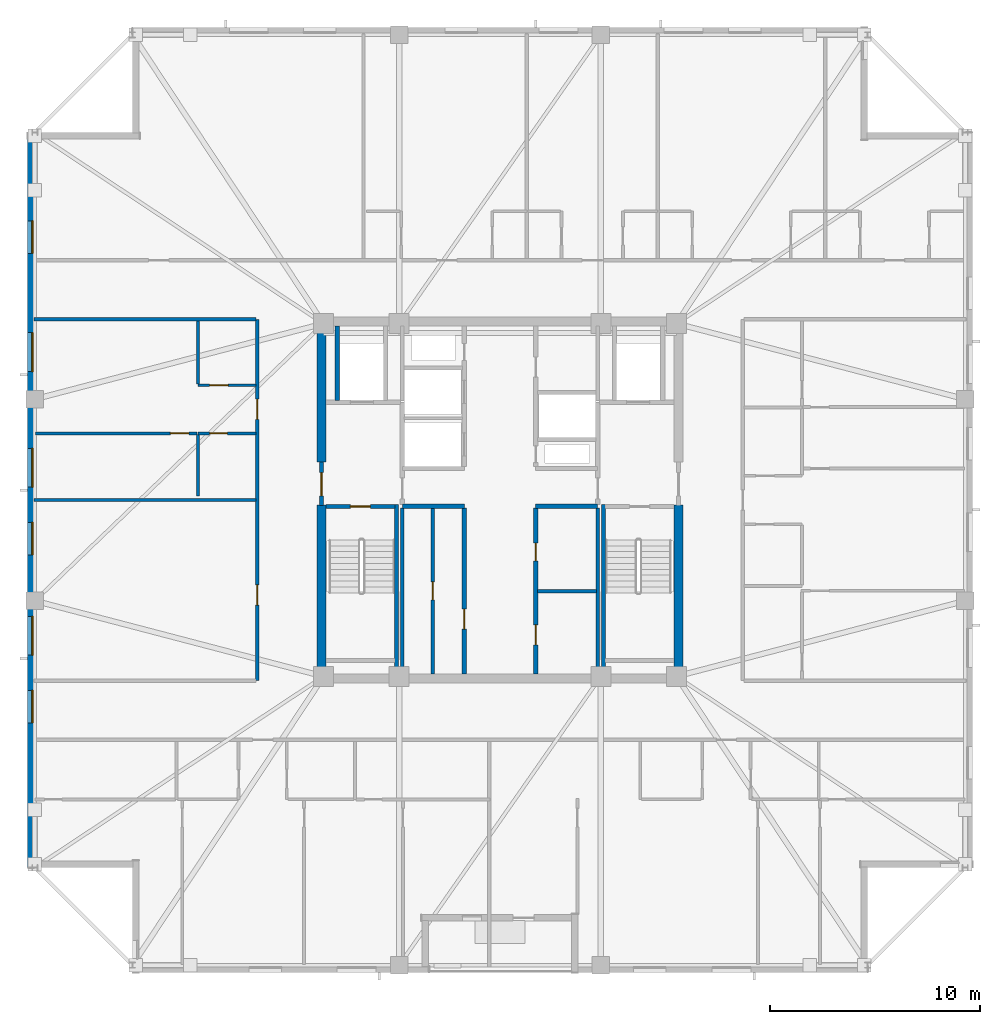
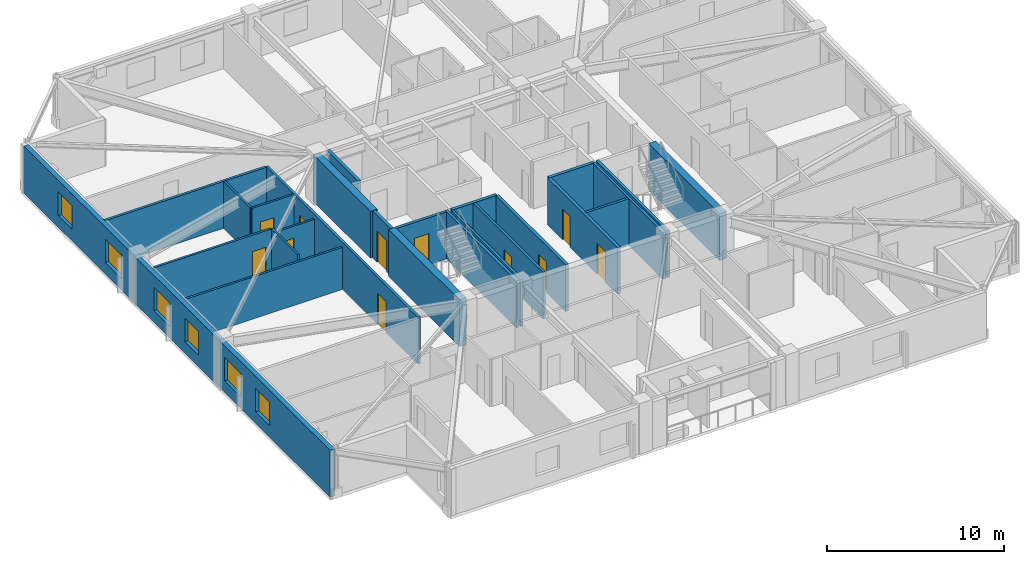
# One storey, part 8 of 17: 25 walls, 11 doors, 6 windows, 17 openings.
"""IFC4 building model written with IfcOpenShell, lengths in metres."""

from ifc_helpers import new_model, si_unit, direction, frame, frame_2d, origin, place, context, subcontext, project, spatial, rectangle, extrude, material, layer, layer_set, type_object, element, fill, save


model = new_model("IFC4")

# Units and contexts
model_context = context("Model", 3, precision=1e-05, world=origin(), true_north=direction((0.0, 1.0)))
body_context = subcontext(model_context, "Body", "Model", "MODEL_VIEW")
ifc_project = project(units=[si_unit("LENGTHUNIT", "METRE"), si_unit("AREAUNIT", "SQUARE_METRE"), si_unit("VOLUMEUNIT", "CUBIC_METRE"), si_unit("PLANEANGLEUNIT", "RADIAN"), si_unit("MASSUNIT", "GRAM", prefix="KILO")], contexts=[model_context])

# Site, building, storey
site_placement = place(None, origin())
site = spatial("IfcSite", under=ifc_project, at=site_placement, CompositionType="ELEMENT")
building_placement = place(site_placement, origin())
building = spatial("IfcBuilding", under=site, at=building_placement, Name="Cairnveth Concourse Tower", CompositionType="ELEMENT")
storey_placement = place(building_placement, frame((0.0, 0.0, 272.5)))
storey = spatial("IfcBuildingStorey", under=building, at=storey_placement, Name="L75", CompositionType="ELEMENT", Elevation=272.5)

# Wall
ifc_material_1 = material(Name="Gypsum Plasterboard Partition", Category="gypsum")
ifc_layer_1 = layer(ifc_material_1, 0.159912109375)
ifc_layer_set_1 = layer_set([ifc_layer_1], Name="Gypsum Plasterboard Partition")
wall_type_1 = type_object("IfcWallType", Name="ACOUSTIC PARTY WALL 180", PredefinedType="PARTITIONING", material=ifc_layer_set_1)
wall_1_placement = place(storey_placement, frame((47.35009765625, 30.7099609375, 0.0), z_axis=(0.0, 0.0, 1.0), x_axis=(0.0, 1.0, 0.0)))
element("IfcWall", 1, at=wall_1_placement, inside=storey, type_object=wall_type_1, Name="Interior Wall IW-L75-025", PredefinedType="PARTITIONING", context=body_context, shape_type="SweptSolid", body=[
    extrude(rectangle(XDim=7.905029296875, YDim=0.159912109375, at=frame_2d((3.95263671875, 0.0))), origin(), (0.0, 0.0, 1.0), 3.239990234375),
])

# Wall, opening, door
wall_2_placement = place(storey_placement, frame((48.800048828125, 30.7099609375, 0.0), z_axis=(0.0, 0.0, 1.0), x_axis=(0.0, 1.0, 0.0)))
wall_2 = element("IfcWall", 2, at=wall_2_placement, inside=storey, type_object=wall_type_1, Name="Interior Wall IW-L75-026", PredefinedType="PARTITIONING", context=body_context, shape_type="SweptSolid", body=[
    extrude(rectangle(XDim=7.905029296875, YDim=0.159912109375, at=frame_2d((3.95263671875, 0.0))), origin(), (0.0, 0.0, 1.0), 3.239990234375),
])
opening_1_placement = place(wall_2_placement, frame((3.5400390625, 0.0, 0.0)))
opening_1 = element("IfcOpeningElement", 3, at=opening_1_placement, cuts=wall_2, Name="Opening ID19", PredefinedType="OPENING", context=body_context, shape_type="SweptSolid", body=[
    extrude(rectangle(XDim=0.85009765625, YDim=2.1201171875, at=frame_2d((0.425048828125, 1.06005859375))), frame((0.0, 0.08984375, 0.0), z_axis=(0.0, -1.0, 0.0), x_axis=(1.0, 0.0, 0.0)), (0.0, 0.0, 1.0), 0.179931640625),
])
ifc_material_2 = material(Name="Steel Grade 350", Category="steel")
door_type_1 = type_object("IfcDoorType", Name="CORE SERVICE DOOR 850X2100", OperationType="NOTDEFINED", PredefinedType="DOOR", material=ifc_material_2)
door_1_placement = place(opening_1_placement, origin())
door_1 = element("IfcDoor", 4, at=door_1_placement, inside=storey, type_object=door_type_1, Name="Inner Store Door L75", OperationType="SINGLE_SWING_RIGHT", OverallHeight=2.1201171875, OverallWidth=0.85009765625, PredefinedType="DOOR", context=body_context, shape_type="SweptSolid", body=[
    extrude(rectangle(XDim=0.85009765625, YDim=2.1201171875, at=frame_2d((0.425048828125, 1.06005859375))), frame((0.0, 0.02490234375, 0.0), z_axis=(0.0, -1.0, 0.0), x_axis=(1.0, 0.0, 0.0)), (0.0, 0.0, 1.0), 0.050048828125),
])
fill(opening_1, door_1)

# Walls
wall_3_placement = place(storey_placement, frame((56.64990234375, 30.7099609375, 0.0), z_axis=(0.0, 0.0, 1.0), x_axis=(0.0, 1.0, 0.0)))
element("IfcWall", 5, at=wall_3_placement, inside=storey, type_object=wall_type_1, Name="Interior Wall IW-L75-027", PredefinedType="PARTITIONING", context=body_context, shape_type="SweptSolid", body=[
    extrude(rectangle(XDim=7.905029296875, YDim=0.159912109375, at=frame_2d((3.95263671875, 0.0))), origin(), (0.0, 0.0, 1.0), 3.239990234375),
])
wall_4_placement = place(storey_placement, frame((53.784912109375, 34.64990234375, 0.0), z_axis=(0.0, 0.0, 1.0), x_axis=(1.0, 0.0, 0.0)))
element("IfcWall", 6, at=wall_4_placement, inside=storey, type_object=wall_type_1, Name="Interior Wall IW-L75-028", PredefinedType="PARTITIONING", context=body_context, shape_type="SweptSolid", body=[
    extrude(rectangle(XDim=2.800048828125, YDim=0.159912109375, at=frame_2d((1.39990234375, 0.0))), origin(), (0.0, 0.0, 1.0), 3.239990234375),
])

# Wall, openings, doors
wall_5_placement = place(storey_placement, frame((40.449951171875, 30.39990234375, 0.0), z_axis=(0.0, 0.0, 1.0), x_axis=(0.0, 1.0, 0.0)))
wall_5 = element("IfcWall", 7, at=wall_5_placement, inside=storey, type_object=wall_type_1, Name="Interior Wall IW-L75-037", PredefinedType="PARTITIONING", context=body_context, shape_type="SweptSolid", body=[
    extrude(rectangle(XDim=17.2001953125, YDim=0.159912109375, at=frame_2d((8.60009765625, 0.0))), origin(), (0.0, 0.0, 1.0), 3.239990234375),
])
opening_2_placement = place(wall_5_placement, frame((3.60009765625, 0.0, 0.0)))
opening_2 = element("IfcOpeningElement", 8, at=opening_2_placement, cuts=wall_5, Name="Opening ID11", PredefinedType="OPENING", context=body_context, shape_type="SweptSolid", body=[
    extrude(rectangle(XDim=0.9599609375, YDim=2.1201171875, at=frame_2d((0.47998046875, 1.06005859375))), frame((0.0, 0.08984375, 0.0), z_axis=(0.0, -1.0, 0.0), x_axis=(1.0, 0.0, 0.0)), (0.0, 0.0, 1.0), 0.179931640625),
])
opening_3_placement = place(wall_5_placement, frame((12.43994140625, 0.0, 0.0)))
opening_3 = element("IfcOpeningElement", 9, at=opening_3_placement, cuts=wall_5, Name="Opening ID10", PredefinedType="OPENING", context=body_context, shape_type="SweptSolid", body=[
    extrude(rectangle(XDim=0.9599609375, YDim=2.179931640625, at=frame_2d((0.47998046875, 1.08984375))), frame((0.0, 0.08984375, 0.0), z_axis=(0.0, -1.0, 0.0), x_axis=(1.0, 0.0, 0.0)), (0.0, 0.0, 1.0), 0.179931640625),
])
ifc_material_3 = material(Name="Solid Core Hardwood Timber Leaf", Category="wood")
door_type_2 = type_object("IfcDoorType", Name="FLAT ENTRANCE DOOR 960X2150", OperationType="NOTDEFINED", PredefinedType="DOOR", material=ifc_material_3)
door_2_placement = place(opening_3_placement, origin())
door_2 = element("IfcDoor", 10, at=door_2_placement, inside=storey, type_object=door_type_2, Name="Apartment L75W1 Entrance Door", OperationType="SINGLE_SWING_RIGHT", OverallHeight=2.179931640625, OverallWidth=0.9599609375, PredefinedType="DOOR", context=body_context, shape_type="SweptSolid", body=[
    extrude(rectangle(XDim=0.9599609375, YDim=2.179931640625, at=frame_2d((0.47998046875, 1.08984375))), frame((0.0, 0.02490234375, 0.0), z_axis=(0.0, -1.0, 0.0), x_axis=(1.0, 0.0, 0.0)), (0.0, 0.0, 1.0), 0.050048828125),
])
fill(opening_3, door_2)
door_type_3 = type_object("IfcDoorType", Name="INTERIOR SINGLE DOOR 960X2150", OperationType="NOTDEFINED", PredefinedType="DOOR", material=ifc_material_3)
door_3_placement = place(opening_2_placement, origin())
door_3 = element("IfcDoor", 11, at=door_3_placement, inside=storey, type_object=door_type_3, Name="Interior Door DR-L75-044", OperationType="SINGLE_SWING_RIGHT", OverallHeight=2.1201171875, OverallWidth=0.9599609375, PredefinedType="DOOR", context=body_context, shape_type="SweptSolid", body=[
    extrude(rectangle(XDim=0.9599609375, YDim=2.1201171875, at=frame_2d((0.47998046875, 1.06005859375))), frame((0.0, 0.02490234375, 0.0), z_axis=(0.0, -1.0, 0.0), x_axis=(1.0, 0.0, 0.0)), (0.0, 0.0, 1.0), 0.050048828125),
])
fill(opening_2, door_3)

# Walls
wall_6_placement = place(storey_placement, frame((29.804931640625, 47.60009765625, 0.0), z_axis=(0.0, 0.0, 1.0), x_axis=(1.0, 0.0, 0.0)))
element("IfcWall", 12, at=wall_6_placement, inside=storey, type_object=wall_type_1, Name="Interior Wall IW-L75-040", PredefinedType="PARTITIONING", context=body_context, shape_type="SweptSolid", body=[
    extrude(rectangle(XDim=10.580078125, YDim=0.159912109375, at=frame_2d((5.2900390625, 0.0))), origin(), (0.0, 0.0, 1.0), 3.239990234375),
])
ifc_material_4 = material(Name="Concrete N65 (65 MPa)", Category="concrete")
ifc_layer_2 = layer(ifc_material_4, 0.449951171875)
ifc_layer_set_2 = layer_set([ifc_layer_2], Name="Concrete N65 (65 MPa)")
wall_type_2 = type_object("IfcWallType", Name="CORE SHEAR WALL 450", PredefinedType="SHEAR", material=ifc_layer_set_2)
wall_7_placement = place(storey_placement, frame((43.5, 30.715087890625, 0.0), z_axis=(0.0, 0.0, 1.0), x_axis=(0.0, 1.0, 0.0)))
element("IfcWall", 13, at=wall_7_placement, inside=storey, type_object=wall_type_2, Name="Core West Shear Wall S L75", PredefinedType="SHEAR", context=body_context, shape_type="SweptSolid", body=[
    extrude(rectangle(XDim=8.034912109375, YDim=0.449951171875, at=frame_2d((4.017578125, 0.0))), origin(), (0.0, 0.0, 1.0), 3.239990234375),
])
wall_8_placement = place(storey_placement, frame((43.5, 40.800048828125, 0.0), z_axis=(0.0, 0.0, 1.0), x_axis=(0.0, 1.0, 0.0)))
element("IfcWall", 14, at=wall_8_placement, inside=storey, type_object=wall_type_2, Name="Core West Shear Wall N L75", PredefinedType="SHEAR", context=body_context, shape_type="SweptSolid", body=[
    extrude(rectangle(XDim=6.48486328125, YDim=0.449951171875, at=frame_2d((3.242431640625, 0.0))), origin(), (0.0, 0.0, 1.0), 3.239990234375),
])
wall_9_placement = place(storey_placement, frame((60.5, 30.715087890625, 0.0), z_axis=(0.0, 0.0, 1.0), x_axis=(0.0, 1.0, 0.0)))
element("IfcWall", 15, at=wall_9_placement, inside=storey, type_object=wall_type_2, Name="Core East Shear Wall S L75", PredefinedType="SHEAR", context=body_context, shape_type="SweptSolid", body=[
    extrude(rectangle(XDim=8.034912109375, YDim=0.449951171875, at=frame_2d((4.017578125, 0.0))), origin(), (0.0, 0.0, 1.0), 3.239990234375),
])

# Wall, opening, door
ifc_material_5 = material(Name="Concrete N50 (50 MPa)", Category="concrete")
ifc_layer_3 = layer(ifc_material_5, 0.179931640625)
ifc_layer_set_3 = layer_set([ifc_layer_3], Name="Concrete N50 (50 MPa)")
wall_type_3 = type_object("IfcWallType", Name="FIRE SHAFT WALL 180", PredefinedType="SOLIDWALL", material=ifc_layer_set_3)
wall_10_placement = place(storey_placement, frame((43.715087890625, 38.68994140625, 0.0), z_axis=(0.0, 0.0, 1.0), x_axis=(1.0, 0.0, 0.0)))
wall_10 = element("IfcWall", 16, at=wall_10_placement, inside=storey, type_object=wall_type_3, Name="Stair ST-1 Shaft Wall NEAR L75", PredefinedType="SOLIDWALL", context=body_context, shape_type="SweptSolid", body=[
    extrude(rectangle(XDim=3.280029296875, YDim=0.179931640625, at=frame_2d((1.64013671875, 0.0))), origin(), (0.0, 0.0, 1.0), 3.239990234375),
])
opening_4_placement = place(wall_10_placement, frame((1.1650390625, 0.0, 0.0)))
opening_4 = element("IfcOpeningElement", 17, at=opening_4_placement, cuts=wall_10, Name="Opening ID12", PredefinedType="OPENING", context=body_context, shape_type="SweptSolid", body=[
    extrude(rectangle(XDim=0.949951171875, YDim=2.14990234375, at=frame_2d((0.47509765625, 1.074951171875))), frame((0.0, 0.099853515625, 0.0), z_axis=(0.0, -1.0, 0.0), x_axis=(1.0, 0.0, 0.0)), (0.0, 0.0, 1.0), 0.199951171875),
])
door_type_4 = type_object("IfcDoorType", Name="FIRE STAIR DOOR 950X2150", OperationType="NOTDEFINED", PredefinedType="DOOR", material=ifc_material_2)
door_4_placement = place(opening_4_placement, origin())
door_4 = element("IfcDoor", 18, at=door_4_placement, inside=storey, type_object=door_type_4, Name="Stair ST-1 Fire Door L75", OperationType="SINGLE_SWING_LEFT", OverallHeight=2.14990234375, OverallWidth=0.949951171875, PredefinedType="DOOR", context=body_context, shape_type="SweptSolid", body=[
    extrude(rectangle(XDim=0.949951171875, YDim=2.14990234375, at=frame_2d((0.47509765625, 1.074951171875))), frame((0.0, 0.02490234375, 0.0), z_axis=(0.0, -1.0, 0.0), x_axis=(1.0, 0.0, 0.0)), (0.0, 0.0, 1.0), 0.050048828125),
])
fill(opening_4, door_4)

# Walls
for number, where, z_axis, x_axis, name in (
    (19, (47.070068359375, 38.780029296875, 0.0), (0.0, 0.0, 1.0), (0.0, -1.0, 0.0), "Stair ST-1 Shaft Wall RGHT L75"),
    (20, (56.929931640625, 38.780029296875, 0.0), (0.0, 0.0, 1.0), (0.0, -1.0, 0.0), "Stair ST-2 Shaft Wall LEFT L75"),
):
    element("IfcWall", number, at=place(storey_placement, frame(where, z_axis=z_axis, x_axis=x_axis)), inside=storey, type_object=wall_type_3, Name=name, PredefinedType="SOLIDWALL", context=body_context, shape_type="SweptSolid", body=[
        extrude(rectangle(XDim=8.067138671875, YDim=0.179931640625, at=frame_2d((4.03369140625, 0.0))), origin(), (0.0, 0.0, 1.0), 3.239990234375),
    ])
ifc_layer_4 = layer(ifc_material_5, 0.199951171875)
ifc_layer_set_4 = layer_set([ifc_layer_4], Name="Concrete N50 (50 MPa)")
wall_type_4 = type_object("IfcWallType", Name="FIRE SHAFT WALL 200", PredefinedType="SOLIDWALL", material=ifc_layer_set_4)
for number, where, z_axis, x_axis, name in (
    (21, (47.35009765625, 38.699951171875, 0.0), (0.0, 0.0, 1.0), (1.0, 0.0, 0.0), "Interior Wall IW-L75-007"),
    (22, (53.699951171875, 38.699951171875, 0.0), (0.0, 0.0, 1.0), (1.0, 0.0, 0.0), "Interior Wall IW-L75-009"),
):
    element("IfcWall", number, at=place(storey_placement, frame(where, z_axis=z_axis, x_axis=x_axis)), inside=storey, type_object=wall_type_4, Name=name, PredefinedType="SOLIDWALL", context=body_context, shape_type="SweptSolid", body=[
        extrude(rectangle(XDim=2.949951171875, YDim=0.199951171875, at=frame_2d((1.47509765625, 0.0))), origin(), (0.0, 0.0, 1.0), 3.239990234375),
    ])

# Wall, opening, door
wall_11_placement = place(storey_placement, frame((50.300048828125, 30.7099609375, 0.0), z_axis=(0.0, 0.0, 1.0), x_axis=(0.0, 1.0, 0.0)))
wall_11 = element("IfcWall", 23, at=wall_11_placement, inside=storey, type_object=wall_type_4, Name="Interior Wall IW-L75-011", PredefinedType="SOLIDWALL", context=body_context, shape_type="SweptSolid", body=[
    extrude(rectangle(XDim=7.905029296875, YDim=0.199951171875, at=frame_2d((3.95263671875, 0.0))), origin(), (0.0, 0.0, 1.0), 3.239990234375),
])
opening_5_placement = place(wall_11_placement, frame((2.139892578125, 0.0, 0.0)))
opening_5 = element("IfcOpeningElement", 24, at=opening_5_placement, cuts=wall_11, Name="Opening ID25", PredefinedType="OPENING", context=body_context, shape_type="SweptSolid", body=[
    extrude(rectangle(XDim=0.949951171875, YDim=2.1201171875, at=frame_2d((0.47509765625, 1.06005859375))), frame((0.0, 0.10986328125, 0.0), z_axis=(0.0, -1.0, 0.0), x_axis=(1.0, 0.0, 0.0)), (0.0, 0.0, 1.0), 0.219970703125),
])
door_type_5 = type_object("IfcDoorType", Name="CORE ACCESSIBLE FIRE DOOR 950X2120", OperationType="NOTDEFINED", PredefinedType="DOOR", material=ifc_material_2)
door_5_placement = place(opening_5_placement, origin())
door_5 = element("IfcDoor", 25, at=door_5_placement, inside=storey, type_object=door_type_5, Name="Accessible WC Suite Door L75", OperationType="SINGLE_SWING_LEFT", OverallHeight=2.1201171875, OverallWidth=0.949951171875, PredefinedType="DOOR", context=body_context, shape_type="SweptSolid", body=[
    extrude(rectangle(XDim=0.949951171875, YDim=2.1201171875, at=frame_2d((0.47509765625, 1.06005859375))), frame((0.0, 0.02490234375, 0.0), z_axis=(0.0, -1.0, 0.0), x_axis=(1.0, 0.0, 0.0)), (0.0, 0.0, 1.0), 0.050048828125),
])
fill(opening_5, door_5)

# Wall, openings, doors
wall_12_placement = place(storey_placement, frame((53.699951171875, 30.7099609375, 0.0), z_axis=(0.0, 0.0, 1.0), x_axis=(0.0, 1.0, 0.0)))
wall_12 = element("IfcWall", 26, at=wall_12_placement, inside=storey, type_object=wall_type_4, Name="Interior Wall IW-L75-012", PredefinedType="SOLIDWALL", context=body_context, shape_type="SweptSolid", body=[
    extrude(rectangle(XDim=7.905029296875, YDim=0.199951171875, at=frame_2d((3.95263671875, 0.0))), origin(), (0.0, 0.0, 1.0), 3.239990234375),
])
opening_6_placement = place(wall_12_placement, frame((1.389892578125, 0.0, 0.0)))
opening_6 = element("IfcOpeningElement", 27, at=opening_6_placement, cuts=wall_12, Name="Opening ID25", PredefinedType="OPENING", context=body_context, shape_type="SweptSolid", body=[
    extrude(rectangle(XDim=0.949951171875, YDim=2.1201171875, at=frame_2d((0.47509765625, 1.06005859375))), frame((0.0, 0.10986328125, 0.0), z_axis=(0.0, -1.0, 0.0), x_axis=(1.0, 0.0, 0.0)), (0.0, 0.0, 1.0), 0.219970703125),
])
opening_7_placement = place(wall_12_placement, frame((5.389892578125, 0.0, 0.0)))
opening_7 = element("IfcOpeningElement", 28, at=opening_7_placement, cuts=wall_12, Name="Opening ID19", PredefinedType="OPENING", context=body_context, shape_type="SweptSolid", body=[
    extrude(rectangle(XDim=0.85009765625, YDim=2.1201171875, at=frame_2d((0.425048828125, 1.06005859375))), frame((0.0, 0.10986328125, 0.0), z_axis=(0.0, -1.0, 0.0), x_axis=(1.0, 0.0, 0.0)), (0.0, 0.0, 1.0), 0.219970703125),
])
door_6_placement = place(opening_6_placement, origin())
door_6 = element("IfcDoor", 29, at=door_6_placement, inside=storey, type_object=door_type_5, Name="Sky WC Door L75", OperationType="SINGLE_SWING_LEFT", OverallHeight=2.1201171875, OverallWidth=0.949951171875, PredefinedType="DOOR", context=body_context, shape_type="SweptSolid", body=[
    extrude(rectangle(XDim=0.949951171875, YDim=2.1201171875, at=frame_2d((0.47509765625, 1.06005859375))), frame((0.0, 0.02490234375, 0.0), z_axis=(0.0, -1.0, 0.0), x_axis=(1.0, 0.0, 0.0)), (0.0, 0.0, 1.0), 0.050048828125),
])
fill(opening_6, door_6)
door_7_placement = place(opening_7_placement, origin())
door_7 = element("IfcDoor", 30, at=door_7_placement, inside=storey, type_object=door_type_1, Name="Janitor Door L75", OperationType="SINGLE_SWING_RIGHT", OverallHeight=2.1201171875, OverallWidth=0.85009765625, PredefinedType="DOOR", context=body_context, shape_type="SweptSolid", body=[
    extrude(rectangle(XDim=0.85009765625, YDim=2.1201171875, at=frame_2d((0.425048828125, 1.06005859375))), frame((0.0, 0.02490234375, 0.0), z_axis=(0.0, -1.0, 0.0), x_axis=(1.0, 0.0, 0.0)), (0.0, 0.0, 1.0), 0.050048828125),
])
fill(opening_7, door_7)

# Wall, opening, door
wall_13_placement = place(storey_placement, frame((43.5, 38.75, 0.0), z_axis=(0.0, 0.0, 1.0), x_axis=(0.0, 1.0, 0.0)))
wall_13 = element("IfcWall", 31, at=wall_13_placement, inside=storey, type_object=wall_type_4, Name="Interior Wall IW-L75-015", PredefinedType="SOLIDWALL", context=body_context, shape_type="SweptSolid", body=[
    extrude(rectangle(XDim=2.050048828125, YDim=0.199951171875, at=frame_2d((1.02490234375, 0.0))), origin(), (0.0, 0.0, 1.0), 3.239990234375),
])
opening_8_placement = place(wall_13_placement, frame((0.449951171875, 0.0, 0.0)))
opening_8 = element("IfcOpeningElement", 32, at=opening_8_placement, cuts=wall_13, Name="Opening ID06", PredefinedType="OPENING", context=body_context, shape_type="SweptSolid", body=[
    extrude(rectangle(XDim=1.10009765625, YDim=2.14990234375, at=frame_2d((0.550048828125, 1.074951171875))), frame((0.0, 0.10986328125, 0.0), z_axis=(0.0, -1.0, 0.0), x_axis=(1.0, 0.0, 0.0)), (0.0, 0.0, 1.0), 0.219970703125),
])
door_type_6 = type_object("IfcDoorType", Name="FIRE CORRIDOR DOOR 1100X2150", OperationType="NOTDEFINED", PredefinedType="DOOR", material=ifc_material_2)
door_8_placement = place(opening_8_placement, origin())
door_8 = element("IfcDoor", 33, at=door_8_placement, inside=storey, type_object=door_type_6, Name="West Wing to FF Lobby Door L75", OperationType="SINGLE_SWING_LEFT", OverallHeight=2.14990234375, OverallWidth=1.10009765625, PredefinedType="DOOR", context=body_context, shape_type="SweptSolid", body=[
    extrude(rectangle(XDim=1.10009765625, YDim=2.14990234375, at=frame_2d((0.550048828125, 1.074951171875))), frame((0.0, 0.02490234375, 0.0), z_axis=(0.0, -1.0, 0.0), x_axis=(1.0, 0.0, 0.0)), (0.0, 0.0, 1.0), 0.050048828125),
])
fill(opening_8, door_8)

# Walls
wall_14_placement = place(storey_placement, frame((44.25, 43.735107421875, 0.0), z_axis=(0.0, 0.0, 1.0), x_axis=(0.0, 1.0, 0.0)))
element("IfcWall", 34, at=wall_14_placement, inside=storey, type_object=wall_type_4, Name="Interior Wall IW-L75-019", PredefinedType="SOLIDWALL", context=body_context, shape_type="SweptSolid", body=[
    extrude(rectangle(XDim=3.554931640625, YDim=0.199951171875, at=frame_2d((1.77734375, 0.0))), origin(), (0.0, 0.0, 1.0), 3.239990234375),
])
ifc_layer_5 = layer(ifc_material_1, 0.139892578125)
ifc_layer_set_5 = layer_set([ifc_layer_5], Name="Gypsum Plasterboard Partition")
wall_type_5 = type_object("IfcWallType", Name="GYPSUM STUD PARTITION 140", PredefinedType="PARTITIONING", material=ifc_layer_set_5)
wall_15_placement = place(storey_placement, frame((29.804931640625, 39.0, 0.0), z_axis=(0.0, 0.0, 1.0), x_axis=(1.0, 0.0, 0.0)))
element("IfcWall", 35, at=wall_15_placement, inside=storey, type_object=wall_type_5, Name="Interior Wall IW-L75-085", PredefinedType="PARTITIONING", context=body_context, shape_type="SweptSolid", body=[
    extrude(rectangle(XDim=10.565185546875, YDim=0.139892578125, at=frame_2d((5.28271484375, 0.0))), origin(), (0.0, 0.0, 1.0), 2.907958984375),
])

# Wall, opening, door
wall_16_placement = place(storey_placement, frame((29.8798828125, 42.169921875, 0.0), z_axis=(0.0, 0.0, 1.0), x_axis=(1.0, 0.0, 0.0)))
wall_16 = element("IfcWall", 36, at=wall_16_placement, inside=storey, type_object=wall_type_5, Name="Interior Wall IW-L75-090", PredefinedType="PARTITIONING", context=body_context, shape_type="SweptSolid", body=[
    extrude(rectangle(XDim=7.690185546875, YDim=0.139892578125, at=frame_2d((3.84521484375, 0.0))), origin(), (0.0, 0.0, 1.0), 3.239990234375),
])
opening_9_placement = place(wall_16_placement, frame((6.429931640625, 0.0, 0.0)))
opening_9 = element("IfcOpeningElement", 37, at=opening_9_placement, cuts=wall_16, Name="Opening ID18", PredefinedType="OPENING", context=body_context, shape_type="SweptSolid", body=[
    extrude(rectangle(XDim=0.8798828125, YDim=2.10009765625, at=frame_2d((0.43994140625, 1.050048828125))), frame((0.0, 0.079833984375, 0.0), z_axis=(0.0, -1.0, 0.0), x_axis=(1.0, 0.0, 0.0)), (0.0, 0.0, 1.0), 0.159912109375),
])
door_type_7 = type_object("IfcDoorType", Name="INTERIOR SINGLE DOOR 880X2100", OperationType="NOTDEFINED", PredefinedType="DOOR", material=ifc_material_3)
door_9_placement = place(opening_9_placement, origin())
door_9 = element("IfcDoor", 38, at=door_9_placement, inside=storey, type_object=door_type_7, Name="L75W1 Master Bedroom Door", OperationType="SINGLE_SWING_LEFT", OverallHeight=2.10009765625, OverallWidth=0.8798828125, PredefinedType="DOOR", context=body_context, shape_type="SweptSolid", body=[
    extrude(rectangle(XDim=0.8798828125, YDim=2.10009765625, at=frame_2d((0.43994140625, 1.050048828125))), frame((0.0, 0.02490234375, 0.0), z_axis=(0.0, -1.0, 0.0), x_axis=(1.0, 0.0, 0.0)), (0.0, 0.0, 1.0), 0.050048828125),
])
fill(opening_9, door_9)

ifc_layer_6 = layer(ifc_material_1, 0.1298828125)
ifc_layer_set_6 = layer_set([ifc_layer_6], Name="Gypsum Plasterboard Partition")
wall_type_6 = type_object("IfcWallType", Name="WET AREA PARTITION 140", PredefinedType="PLUMBINGWALL", material=ifc_layer_set_6)
wall_17_placement = place(storey_placement, frame((37.6201171875, 42.169921875, 0.0), z_axis=(0.0, 0.0, 1.0), x_axis=(1.0, 0.0, 0.0)))
wall_17 = element("IfcWall", 39, at=wall_17_placement, inside=storey, type_object=wall_type_6, Name="Interior Wall IW-L75-086", PredefinedType="PLUMBINGWALL", context=body_context, shape_type="SweptSolid", body=[
    extrude(rectangle(XDim=2.75, YDim=0.1298828125, at=frame_2d((1.375, 0.0))), origin(), (0.0, 0.0, 1.0), 2.907958984375),
])
opening_10_placement = place(wall_17_placement, frame((0.550048828125, 0.0, 0.0)))
opening_10 = element("IfcOpeningElement", 40, at=opening_10_placement, cuts=wall_17, Name="Opening ID21", PredefinedType="OPENING", context=body_context, shape_type="SweptSolid", body=[
    extrude(rectangle(XDim=0.85009765625, YDim=2.080078125, at=frame_2d((0.425048828125, 1.0400390625))), frame((0.0, 0.074951171875, 0.0), z_axis=(0.0, -1.0, 0.0), x_axis=(1.0, 0.0, 0.0)), (0.0, 0.0, 1.0), 0.14990234375),
])
door_type_8 = type_object("IfcDoorType", Name="INTERIOR WC DOOR 850X2100", OperationType="NOTDEFINED", PredefinedType="DOOR", material=ifc_material_3)
door_10_placement = place(opening_10_placement, origin())
door_10 = element("IfcDoor", 41, at=door_10_placement, inside=storey, type_object=door_type_8, Name="L75W1 Bathroom Door", OperationType="SINGLE_SWING_LEFT", OverallHeight=2.080078125, OverallWidth=0.85009765625, PredefinedType="DOOR", context=body_context, shape_type="SweptSolid", body=[
    extrude(rectangle(XDim=0.85009765625, YDim=2.080078125, at=frame_2d((0.425048828125, 1.0400390625))), frame((0.0, 0.02490234375, 0.0), z_axis=(0.0, -1.0, 0.0), x_axis=(1.0, 0.0, 0.0)), (0.0, 0.0, 1.0), 0.050048828125),
])
fill(opening_10, door_10)

# Wall
wall_18_placement = place(storey_placement, frame((37.6201171875, 39.179931640625, 0.0), z_axis=(0.0, 0.0, 1.0), x_axis=(0.0, 1.0, 0.0)))
element("IfcWall", 42, at=wall_18_placement, inside=storey, type_object=wall_type_6, Name="Interior Wall IW-L75-087", PredefinedType="PLUMBINGWALL", context=body_context, shape_type="SweptSolid", body=[
    extrude(rectangle(XDim=2.940185546875, YDim=0.1298828125, at=frame_2d((1.47021484375, 0.0))), origin(), (0.0, 0.0, 1.0), 3.239990234375),
])

# Wall, opening, door
wall_19_placement = place(storey_placement, frame((37.6201171875, 44.469970703125, 0.0), z_axis=(0.0, 0.0, 1.0), x_axis=(1.0, 0.0, 0.0)))
wall_19 = element("IfcWall", 43, at=wall_19_placement, inside=storey, type_object=wall_type_6, Name="Interior Wall IW-L75-088", PredefinedType="PLUMBINGWALL", context=body_context, shape_type="SweptSolid", body=[
    extrude(rectangle(XDim=2.75, YDim=0.1298828125, at=frame_2d((1.375, 0.0))), origin(), (0.0, 0.0, 1.0), 3.239990234375),
])
opening_11_placement = place(wall_19_placement, frame((0.550048828125, 0.0, 0.0)))
opening_11 = element("IfcOpeningElement", 44, at=opening_11_placement, cuts=wall_19, Name="Opening ID18", PredefinedType="OPENING", context=body_context, shape_type="SweptSolid", body=[
    extrude(rectangle(XDim=0.8798828125, YDim=2.10009765625, at=frame_2d((0.43994140625, 1.050048828125))), frame((0.0, 0.074951171875, 0.0), z_axis=(0.0, -1.0, 0.0), x_axis=(1.0, 0.0, 0.0)), (0.0, 0.0, 1.0), 0.14990234375),
])
door_11_placement = place(opening_11_placement, origin())
door_11 = element("IfcDoor", 45, at=door_11_placement, inside=storey, type_object=door_type_7, Name="L75W1 Kitchen Door", OperationType="SINGLE_SWING_RIGHT", OverallHeight=2.10009765625, OverallWidth=0.8798828125, PredefinedType="DOOR", context=body_context, shape_type="SweptSolid", body=[
    extrude(rectangle(XDim=0.8798828125, YDim=2.10009765625, at=frame_2d((0.43994140625, 1.050048828125))), frame((0.0, 0.02490234375, 0.0), z_axis=(0.0, -1.0, 0.0), x_axis=(1.0, 0.0, 0.0)), (0.0, 0.0, 1.0), 0.050048828125),
])
fill(opening_11, door_11)

# Wall
wall_20_placement = place(storey_placement, frame((37.6201171875, 44.52001953125, 0.0), z_axis=(0.0, 0.0, 1.0), x_axis=(0.0, 1.0, 0.0)))
element("IfcWall", 46, at=wall_20_placement, inside=storey, type_object=wall_type_6, Name="Interior Wall IW-L75-089", PredefinedType="PLUMBINGWALL", context=body_context, shape_type="SweptSolid", body=[
    extrude(rectangle(XDim=3.014892578125, YDim=0.1298828125, at=frame_2d((1.50732421875, 0.0))), origin(), (0.0, 0.0, 1.0), 3.239990234375),
])

# Wall, openings, windows
ifc_material_6 = material(Name="Melbourne Buff Fired Clay Brick Masonry", Category="masonry")
ifc_layer_7 = layer(ifc_material_6, 0.320068359375)
ifc_layer_set_7 = layer_set([ifc_layer_7], Name="Melbourne Buff Fired Clay Brick Masonry")
wall_type_7 = type_object("IfcWallType", Name="ZONE 3 BRICK PIER SPANDREL WALL 320", PredefinedType="SOLIDWALL", material=ifc_layer_set_7)
wall_21_placement = place(storey_placement, frame((29.659912109375, 21.5, 0.0), z_axis=(0.0, 0.0, 1.0), x_axis=(0.0, 1.0, 0.0)))
wall_21 = element("IfcWall", 47, at=wall_21_placement, inside=storey, type_object=wall_type_7, Name="Exterior Wall EW-L75-S03", PredefinedType="SOLIDWALL", context=body_context, shape_type="SweptSolid", body=[
    extrude(rectangle(XDim=34.701904296875, YDim=0.320068359375, at=frame_2d((17.35107421875, 0.0))), origin(), (0.0, 0.0, 1.0), 3.239990234375),
])
opening_12_placement = place(wall_21_placement, frame((6.887939453125, 0.0, 0.800048828125)))
opening_12 = element("IfcOpeningElement", 48, at=opening_12_placement, cuts=wall_21, Name="Opening W07", PredefinedType="OPENING", context=body_context, shape_type="SweptSolid", body=[
    extrude(rectangle(XDim=1.550048828125, YDim=1.6279296875, at=frame_2d((0.77490234375, 0.81396484375))), frame((0.0, 0.169921875, 0.0), z_axis=(0.0, -1.0, 0.0), x_axis=(1.0, 0.0, 0.0)), (0.0, 0.0, 1.0), 0.340087890625),
])
opening_13_placement = place(wall_21_placement, frame((10.113037109375, 0.0, 0.800048828125)))
opening_13 = element("IfcOpeningElement", 49, at=opening_13_placement, cuts=wall_21, Name="Opening W08", PredefinedType="OPENING", context=body_context, shape_type="SweptSolid", body=[
    extrude(rectangle(XDim=1.85009765625, YDim=1.6279296875, at=frame_2d((0.925048828125, 0.81396484375))), frame((0.0, 0.169921875, 0.0), z_axis=(0.0, -1.0, 0.0), x_axis=(1.0, 0.0, 0.0)), (0.0, 0.0, 1.0), 0.340087890625),
])
opening_14_placement = place(wall_21_placement, frame((14.888427734375, 0.0, 0.800048828125)))
opening_14 = element("IfcOpeningElement", 50, at=opening_14_placement, cuts=wall_21, Name="Opening W07", PredefinedType="OPENING", context=body_context, shape_type="SweptSolid", body=[
    extrude(rectangle(XDim=1.550048828125, YDim=1.6279296875, at=frame_2d((0.77490234375, 0.81396484375))), frame((0.0, 0.169921875, 0.0), z_axis=(0.0, -1.0, 0.0), x_axis=(1.0, 0.0, 0.0)), (0.0, 0.0, 1.0), 0.340087890625),
])
opening_15_placement = place(wall_21_placement, frame((18.113525390625, 0.0, 0.800048828125)))
opening_15 = element("IfcOpeningElement", 51, at=opening_15_placement, cuts=wall_21, Name="Opening W08", PredefinedType="OPENING", context=body_context, shape_type="SweptSolid", body=[
    extrude(rectangle(XDim=1.85009765625, YDim=1.6279296875, at=frame_2d((0.925048828125, 0.81396484375))), frame((0.0, 0.169921875, 0.0), z_axis=(0.0, -1.0, 0.0), x_axis=(1.0, 0.0, 0.0)), (0.0, 0.0, 1.0), 0.340087890625),
])
opening_16_placement = place(wall_21_placement, frame((23.614013671875, 0.0, 0.800048828125)))
opening_16 = element("IfcOpeningElement", 52, at=opening_16_placement, cuts=wall_21, Name="Opening W08", PredefinedType="OPENING", context=body_context, shape_type="SweptSolid", body=[
    extrude(rectangle(XDim=1.85009765625, YDim=1.6279296875, at=frame_2d((0.925048828125, 0.81396484375))), frame((0.0, 0.169921875, 0.0), z_axis=(0.0, -1.0, 0.0), x_axis=(1.0, 0.0, 0.0)), (0.0, 0.0, 1.0), 0.340087890625),
])
opening_17_placement = place(wall_21_placement, frame((29.239501953125, 0.0, 0.800048828125)))
opening_17 = element("IfcOpeningElement", 53, at=opening_17_placement, cuts=wall_21, Name="Opening W07", PredefinedType="OPENING", context=body_context, shape_type="SweptSolid", body=[
    extrude(rectangle(XDim=1.550048828125, YDim=1.6279296875, at=frame_2d((0.77490234375, 0.81396484375))), frame((0.0, 0.169921875, 0.0), z_axis=(0.0, -1.0, 0.0), x_axis=(1.0, 0.0, 0.0)), (0.0, 0.0, 1.0), 0.340087890625),
])
ifc_material_7 = material(Name="Double Glazed Low-E Clear Glass", Category="glass")
window_type_1 = type_object("IfcWindowType", Name="DEEP-SET APARTMENT LIVING WINDOW 1850X1850", PartitioningType="DOUBLE_PANEL_VERTICAL", PredefinedType="WINDOW", material=ifc_material_7)
window_1_placement = place(opening_13_placement, origin())
window_1 = element("IfcWindow", 54, at=window_1_placement, inside=storey, type_object=window_type_1, Name="Gothic Lancet Window L75-3-3", OverallHeight=1.6279296875, OverallWidth=1.85009765625, PartitioningType="SINGLE_PANEL", PredefinedType="WINDOW", context=body_context, shape_type="SweptSolid", body=[
    extrude(rectangle(XDim=1.85009765625, YDim=1.6279296875, at=frame_2d((0.925048828125, 0.81396484375))), frame((0.0, -0.050048828125, 0.0), z_axis=(0.0, -1.0, 0.0), x_axis=(1.0, 0.0, 0.0)), (0.0, 0.0, 1.0), 0.06005859375),
])
fill(opening_13, window_1)
window_2_placement = place(opening_15_placement, origin())
window_2 = element("IfcWindow", 55, at=window_2_placement, inside=storey, type_object=window_type_1, Name="Gothic Lancet Window L75-3-5", OverallHeight=1.6279296875, OverallWidth=1.85009765625, PartitioningType="SINGLE_PANEL", PredefinedType="WINDOW", context=body_context, shape_type="SweptSolid", body=[
    extrude(rectangle(XDim=1.85009765625, YDim=1.6279296875, at=frame_2d((0.925048828125, 0.81396484375))), frame((0.0, -0.050048828125, 0.0), z_axis=(0.0, -1.0, 0.0), x_axis=(1.0, 0.0, 0.0)), (0.0, 0.0, 1.0), 0.06005859375),
])
fill(opening_15, window_2)
window_3_placement = place(opening_16_placement, origin())
window_3 = element("IfcWindow", 56, at=window_3_placement, inside=storey, type_object=window_type_1, Name="Gothic Lancet Window L75-3-7", OverallHeight=1.6279296875, OverallWidth=1.85009765625, PartitioningType="SINGLE_PANEL", PredefinedType="WINDOW", context=body_context, shape_type="SweptSolid", body=[
    extrude(rectangle(XDim=1.85009765625, YDim=1.6279296875, at=frame_2d((0.925048828125, 0.81396484375))), frame((0.0, -0.050048828125, 0.0), z_axis=(0.0, -1.0, 0.0), x_axis=(1.0, 0.0, 0.0)), (0.0, 0.0, 1.0), 0.06005859375),
])
fill(opening_16, window_3)
window_type_2 = type_object("IfcWindowType", Name="DEEP-SET APARTMENT WINDOW 1550X1800", PartitioningType="DOUBLE_PANEL_VERTICAL", PredefinedType="WINDOW", material=ifc_material_7)
window_4_placement = place(opening_12_placement, origin())
window_4 = element("IfcWindow", 57, at=window_4_placement, inside=storey, type_object=window_type_2, Name="Gothic Lancet Window L75-3-2", OverallHeight=1.6279296875, OverallWidth=1.550048828125, PartitioningType="SINGLE_PANEL", PredefinedType="WINDOW", context=body_context, shape_type="SweptSolid", body=[
    extrude(rectangle(XDim=1.550048828125, YDim=1.6279296875, at=frame_2d((0.77490234375, 0.81396484375))), frame((0.0, -0.050048828125, 0.0), z_axis=(0.0, -1.0, 0.0), x_axis=(1.0, 0.0, 0.0)), (0.0, 0.0, 1.0), 0.06005859375),
])
fill(opening_12, window_4)
window_5_placement = place(opening_14_placement, origin())
window_5 = element("IfcWindow", 58, at=window_5_placement, inside=storey, type_object=window_type_2, Name="Gothic Lancet Window L75-3-4", OverallHeight=1.6279296875, OverallWidth=1.550048828125, PartitioningType="SINGLE_PANEL", PredefinedType="WINDOW", context=body_context, shape_type="SweptSolid", body=[
    extrude(rectangle(XDim=1.550048828125, YDim=1.6279296875, at=frame_2d((0.77490234375, 0.81396484375))), frame((0.0, -0.050048828125, 0.0), z_axis=(0.0, -1.0, 0.0), x_axis=(1.0, 0.0, 0.0)), (0.0, 0.0, 1.0), 0.06005859375),
])
fill(opening_14, window_5)
window_6_placement = place(opening_17_placement, origin())
window_6 = element("IfcWindow", 59, at=window_6_placement, inside=storey, type_object=window_type_2, Name="Gothic Lancet Window L75-3-8", OverallHeight=1.6279296875, OverallWidth=1.550048828125, PartitioningType="SINGLE_PANEL", PredefinedType="WINDOW", context=body_context, shape_type="SweptSolid", body=[
    extrude(rectangle(XDim=1.550048828125, YDim=1.6279296875, at=frame_2d((0.77490234375, 0.81396484375))), frame((0.0, -0.050048828125, 0.0), z_axis=(0.0, -1.0, 0.0), x_axis=(1.0, 0.0, 0.0)), (0.0, 0.0, 1.0), 0.06005859375),
])
fill(opening_17, window_6)

save(model, "model.ifc")
